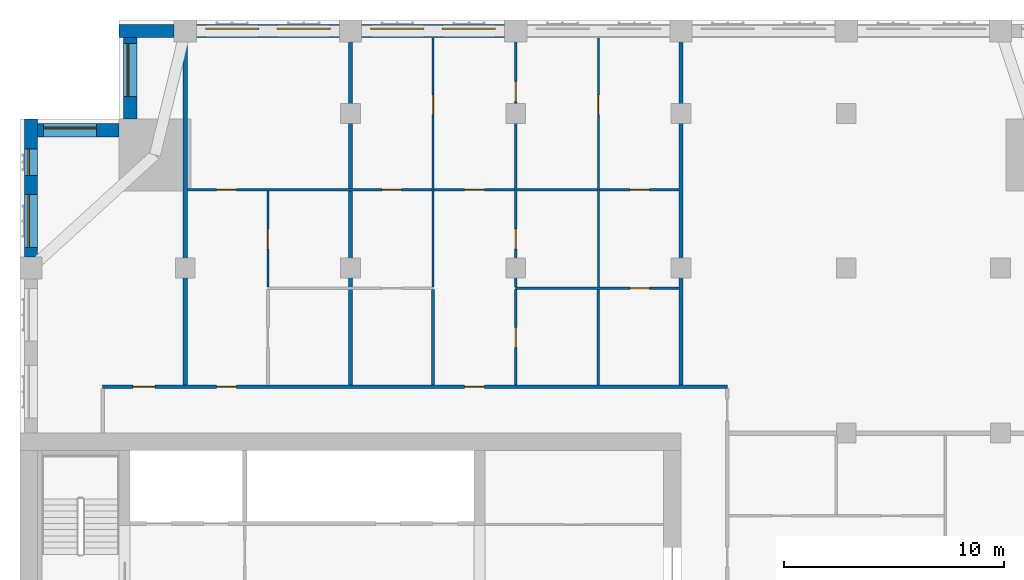
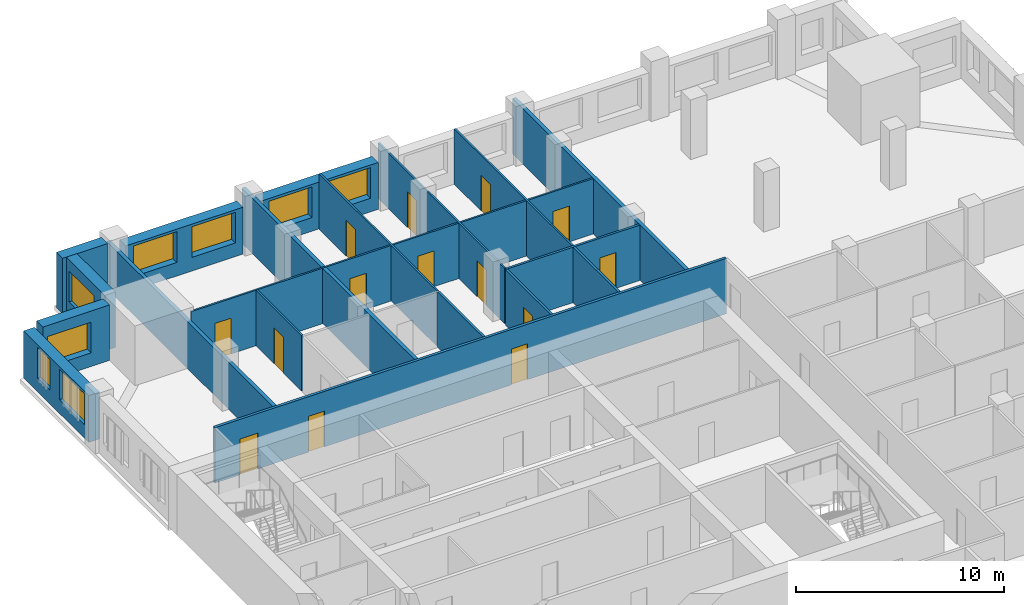
# One storey, part 10 of 14: 19 walls, 14 doors, 8 windows, 22 openings.
"""IFC4 building model written with IfcOpenShell, lengths in metres."""

import ifcopenshell
import ifcopenshell.guid

model = None  # the IFC model being written
_history = None  # IfcOwnerHistory: only IFC2X3 demands one
_inside = {}  # id of a spatial element -> (the spatial element, [elements in it])
_under = {}  # id of a project, library or spatial element -> (it, [spatial elements below it])
_declared = {}  # id of a project -> (the project, [libraries it declares])
_typed = {}  # id of a type object -> (the type object, [elements of that type])
_made_of = {}  # id of a material, layer set ... -> (it, [elements and type objects made of it])


def new_model(schema):
    """Start an empty IFC model of exactly this schema.

    Asked for "IFC4X3", IfcOpenShell would pick the latest addendum, in which some entities
    have other attributes; the version numbers below select the first issue.
    IFC2X3 requires an IfcOwnerHistory on every rooted entity: one is made here for all.
    """
    global model, _history
    if schema == "IFC4X3":
        model = ifcopenshell.file(schema_version=(4, 3, 0, 0))
    else:
        model = ifcopenshell.file(schema=schema)
    _inside.clear()
    _under.clear()
    _declared.clear()
    _typed.clear()
    _made_of.clear()
    _history = None
    if model.schema == "IFC2X3":
        org = make("IfcOrganization", Name="unknown")
        user = make(
            "IfcPersonAndOrganization",
            ThePerson=make("IfcPerson", FamilyName="unknown"),
            TheOrganization=org,
        )
        app = make(
            "IfcApplication",
            ApplicationDeveloper=org,
            Version="unknown",
            ApplicationFullName="unknown",
            ApplicationIdentifier="unknown",
        )
        _history = make(
            "IfcOwnerHistory",
            OwningUser=user,
            OwningApplication=app,
            ChangeAction="ADDED",
            CreationDate=0,
        )
    return model


def make(cls, **values):
    """One entity of the class cls with the attributes given. An attribute that is None is left unset."""
    return model.create_entity(
        cls, **{name: value for name, value in values.items() if value is not None}
    )


def rooted(cls, **values):
    """An entity with a GlobalId (a new one), such as an element, a storey or a relation."""
    return make(cls, GlobalId=ifcopenshell.guid.new(), OwnerHistory=_history, **values)


def si_unit(unit_type, name, prefix=None):
    """IfcSIUnit, for example si_unit("LENGTHUNIT", "METRE", prefix="MILLI")."""
    return make("IfcSIUnit", UnitType=unit_type, Prefix=prefix, Name=name)


def assignment(units):
    """IfcUnitAssignment: the units of a project."""
    return None if units is None else make("IfcUnitAssignment", Units=units)


def point(xyz):
    """IfcCartesianPoint."""
    return None if xyz is None else make("IfcCartesianPoint", Coordinates=xyz)


def direction(xyz):
    """IfcDirection."""
    return None if xyz is None else make("IfcDirection", DirectionRatios=xyz)


def frame(location, z_axis=None, x_axis=None):
    """IfcAxis2Placement3D, a coordinate frame: its origin and axes. An axis left out is left unset."""
    return make(
        "IfcAxis2Placement3D",
        Location=point(location),
        Axis=direction(z_axis),
        RefDirection=direction(x_axis),
    )


def frame_2d(location, x_axis=None):
    """IfcAxis2Placement2D, a coordinate frame in the plane: its origin and x axis."""
    return make(
        "IfcAxis2Placement2D", Location=point(location), RefDirection=direction(x_axis)
    )


def origin():
    """The frame at (0, 0, 0) with its axes left unset."""
    return frame((0.0, 0.0, 0.0))


def place(relative_to, where):
    """IfcLocalPlacement: puts the frame where relative to a parent placement (None: the world)."""
    return make(
        "IfcLocalPlacement", PlacementRelTo=relative_to, RelativePlacement=where
    )


def context(
    kind, dimensions, precision=None, world=None, true_north=None, identifier=None
):
    """IfcGeometricRepresentationContext, for example the 3D "Model" context."""
    return make(
        "IfcGeometricRepresentationContext",
        ContextIdentifier=identifier,
        ContextType=kind,
        CoordinateSpaceDimension=dimensions,
        Precision=precision,
        WorldCoordinateSystem=world,
        TrueNorth=true_north,
    )


def subcontext(parent, identifier, kind, view, scale=None):
    """IfcGeometricRepresentationSubContext, for example "Body" below "Model"."""
    return make(
        "IfcGeometricRepresentationSubContext",
        ContextIdentifier=identifier,
        ContextType=kind,
        ParentContext=parent,
        TargetScale=scale,
        TargetView=view,
    )


def project(units=None, contexts=None):
    """IfcProject with its units and contexts."""
    return rooted(
        "IfcProject",
        Name="project",
        RepresentationContexts=contexts,
        UnitsInContext=assignment(units),
    )


def spatial(cls, under=None, at=None, **own):
    """A site, building, storey or space (cls), placed at a placement, below another one or the project."""
    s = rooted(cls, ObjectPlacement=at, **own)
    if under is not None:
        _under.setdefault(under.id(), (under, []))[1].append(s)
    return s


def profile(cls, at=None, kind="AREA", **sizes):
    """A parametric profile (cls). Its sizes go by their IFC names, for example OverallWidth=200.0."""
    return make(cls, ProfileType=kind, Position=at, **sizes)


def rectangle(**sizes):
    """IfcRectangleProfileDef."""
    return profile("IfcRectangleProfileDef", **sizes)


def extrude(swept, where, along, depth):
    """IfcExtrudedAreaSolid: the profile swept, set in the frame where, extruded along a direction by depth."""
    return make(
        "IfcExtrudedAreaSolid",
        SweptArea=swept,
        Position=where,
        ExtrudedDirection=direction(along),
        Depth=depth,
    )


def shape(context_of_items, identifier, shape_type, items):
    """IfcShapeRepresentation: the items that make up one representation, for example the "Body"."""
    return make(
        "IfcShapeRepresentation",
        ContextOfItems=context_of_items,
        RepresentationIdentifier=identifier,
        RepresentationType=shape_type,
        Items=items,
    )


def material(Name=None, Category=None):
    """IfcMaterial."""
    return make("IfcMaterial", Name=Name, Category=Category)


def layer(
    of_material, thickness, ventilated=None, Name=None, Category=None, Priority=None
):
    """IfcMaterialLayer: one layer of a wall or slab, of a material (None: an air gap)."""
    return make(
        "IfcMaterialLayer",
        Material=of_material,
        LayerThickness=thickness,
        IsVentilated=ventilated,
        Name=Name,
        Category=Category,
        Priority=Priority,
    )


def layer_set(layers, Name=None):
    """IfcMaterialLayerSet."""
    return make("IfcMaterialLayerSet", MaterialLayers=layers, LayerSetName=Name)


def made_of(thing, what):
    """Note that an element or type object is made of a material, layer set ...; save() writes the relation."""
    if what is not None:
        _made_of.setdefault(what.id(), (what, []))[1].append(thing)
    return thing


def type_object(cls, material=None, **own):
    """A type object (cls), such as IfcWallType, which elements share."""
    return made_of(rooted(cls, **own), material)


def element(
    cls,
    number,
    at=None,
    inside=None,
    cuts=None,
    type_object=None,
    material=None,
    context=None,
    identifier="Body",
    shape_type=None,
    held_by="IfcProductDefinitionShape",
    body=None,
    shapes=None,
    **own,
):
    """One element of the class cls, such as IfcWall. Its Tag is "e" and its number.

    at: its placement. inside: the storey or other place that contains it. cuts: it is an
    opening in that element (IfcRelVoidsElement). A single representation is given by context,
    identifier, shape_type and body (its items); several are given by shapes. held_by: the class
    of the entity that holds the representations. save() writes the other relations.
    """
    e = rooted(cls, Tag="e%d" % number, ObjectPlacement=at, **own)
    if body is not None:
        shapes = [shape(context, identifier, shape_type, body)]
    if shapes is not None:
        e.Representation = make(held_by, Representations=shapes)
    if inside is not None:
        _inside.setdefault(inside.id(), (inside, []))[1].append(e)
    if cuts is not None:
        rooted(
            "IfcRelVoidsElement", RelatingBuildingElement=cuts, RelatedOpeningElement=e
        )
    if type_object is not None:
        _typed.setdefault(type_object.id(), (type_object, []))[1].append(e)
    return made_of(e, material)


def fill(opening, filler):
    """IfcRelFillsElement: the door or window that sits in an opening."""
    return rooted(
        "IfcRelFillsElement",
        RelatingOpeningElement=opening,
        RelatedBuildingElement=filler,
    )


def aggregate(whole, parts):
    """IfcRelAggregates: a whole, such as a stair, and the parts it consists of."""
    return rooted("IfcRelAggregates", RelatingObject=whole, RelatedObjects=parts)


def save(model, path):
    """Write the relations noted so far, then the file.

    IfcRelAggregates (storeys below a building ...), IfcRelContainedInSpatialStructure (elements
    in a storey), IfcRelDefinesByType, IfcRelAssociatesMaterial and IfcRelDeclares: one each for
    every whole, place, type object, material and project.
    """
    for whole, parts in _under.values():
        aggregate(whole, parts)
    for where, things in _inside.values():
        rooted(
            "IfcRelContainedInSpatialStructure",
            RelatedElements=things,
            RelatingStructure=where,
        )
    for kind, things in _typed.values():
        rooted("IfcRelDefinesByType", RelatedObjects=things, RelatingType=kind)
    for what, things in _made_of.values():
        rooted("IfcRelAssociatesMaterial", RelatedObjects=things, RelatingMaterial=what)
    for by, libraries in _declared.values():
        rooted("IfcRelDeclares", RelatingContext=by, RelatedDefinitions=libraries)
    model.write(path)


model = new_model("IFC4")

# Units and contexts
model_context = context("Model", 3, precision=1e-05, world=origin(), true_north=direction((0.0, 1.0)))
body_context = subcontext(model_context, "Body", "Model", "MODEL_VIEW")
ifc_project = project(units=[si_unit("LENGTHUNIT", "METRE"), si_unit("AREAUNIT", "SQUARE_METRE"), si_unit("VOLUMEUNIT", "CUBIC_METRE"), si_unit("PLANEANGLEUNIT", "RADIAN"), si_unit("MASSUNIT", "GRAM", prefix="KILO")], contexts=[model_context])

# Site, building, storey
site_placement = place(None, origin())
site = spatial("IfcSite", under=ifc_project, at=site_placement, CompositionType="ELEMENT")
building_placement = place(site_placement, origin())
building = spatial("IfcBuilding", under=site, at=building_placement, Name="Tamorin Gate", CompositionType="ELEMENT")
storey_placement = place(building_placement, frame((0.0, 0.0, 189.699951171875)))
storey = spatial("IfcBuildingStorey", under=building, at=storey_placement, Name="L46", CompositionType="ELEMENT", Elevation=189.699951171875)

# Wall, openings, windows
ifc_material_1 = material(Name="Precast concrete C40/50", Category="concrete")
ifc_layer_1 = layer(ifc_material_1, 0.60009765625)
ifc_layer_set_1 = layer_set([ifc_layer_1], Name="Precast concrete C40/50")
wall_type_1 = type_object("IfcWallType", Name="Board-marked concrete facade panel 600", PredefinedType="SOLIDWALL", material=ifc_layer_set_1)
wall_1_placement = place(storey_placement, frame((52.0, 100.75, 0.0), z_axis=(0.0, 0.0, 1.0), x_axis=(-1.0, 0.0, 0.0)))
wall_1 = element("IfcWall", 1, at=wall_1_placement, inside=storey, type_object=wall_type_1, Name="Facade panel", PredefinedType="SOLIDWALL", context=body_context, shape_type="SweptSolid", body=[
    extrude(rectangle(XDim=6.5, YDim=0.60009765625, at=frame_2d((3.25, 0.0))), origin(), (0.0, 0.0, 1.0), 2.75),
])
opening_1_placement = place(wall_1_placement, frame((3.675048828125, 0.0, 0.800048828125)))
opening_1 = element("IfcOpeningElement", 2, at=opening_1_placement, cuts=wall_1, Name="Opening WN1", PredefinedType="OPENING", context=body_context, shape_type="SweptSolid", body=[
    extrude(rectangle(XDim=2.39990234375, YDim=1.800048828125, at=frame_2d((1.199951171875, 0.89990234375))), frame((0.0, 0.31005859375, 0.0), z_axis=(0.0, -1.0, 0.0), x_axis=(1.0, 0.0, 0.0)), (0.0, 0.0, 1.0), 0.6201171875),
])
opening_2_placement = place(wall_1_placement, frame((0.425048828125, 0.0, 0.800048828125)))
opening_2 = element("IfcOpeningElement", 3, at=opening_2_placement, cuts=wall_1, Name="Opening WN1", PredefinedType="OPENING", context=body_context, shape_type="SweptSolid", body=[
    extrude(rectangle(XDim=2.39990234375, YDim=1.800048828125, at=frame_2d((1.199951171875, 0.89990234375))), frame((0.0, 0.31005859375, 0.0), z_axis=(0.0, -1.0, 0.0), x_axis=(1.0, 0.0, 0.0)), (0.0, 0.0, 1.0), 0.6201171875),
])
ifc_material_2 = material(Name="Clear glass in aluminium frame", Category="aluminium")
window_type_1 = type_object("IfcWindowType", Name="Deep-set window 2400x1800", PartitioningType="SINGLE_PANEL", PredefinedType="WINDOW", material=ifc_material_2)
window_1_placement = place(opening_1_placement, origin())
window_1 = element("IfcWindow", 4, at=window_1_placement, inside=storey, type_object=window_type_1, Name="Deep-set window", OverallHeight=1.800048828125, OverallWidth=2.39990234375, PartitioningType="SINGLE_PANEL", PredefinedType="WINDOW", context=body_context, shape_type="SweptSolid", body=[
    extrude(rectangle(XDim=2.39990234375, YDim=1.800048828125, at=frame_2d((1.199951171875, 0.89990234375))), frame((0.0, -0.070068359375, 0.0), z_axis=(0.0, -1.0, 0.0), x_axis=(1.0, 0.0, 0.0)), (0.0, 0.0, 1.0), 0.06005859375),
])
fill(opening_1, window_1)
window_2_placement = place(opening_2_placement, origin())
window_2 = element("IfcWindow", 5, at=window_2_placement, inside=storey, type_object=window_type_1, Name="Deep-set window", OverallHeight=1.800048828125, OverallWidth=2.39990234375, PartitioningType="SINGLE_PANEL", PredefinedType="WINDOW", context=body_context, shape_type="SweptSolid", body=[
    extrude(rectangle(XDim=2.39990234375, YDim=1.800048828125, at=frame_2d((1.199951171875, 0.89990234375))), frame((0.0, -0.070068359375, 0.0), z_axis=(0.0, -1.0, 0.0), x_axis=(1.0, 0.0, 0.0)), (0.0, 0.0, 1.0), 0.06005859375),
])
fill(opening_2, window_2)

wall_2_placement = place(storey_placement, frame((44.5, 100.75, 0.0), z_axis=(0.0, 0.0, 1.0), x_axis=(-1.0, 0.0, 0.0)))
wall_2 = element("IfcWall", 6, at=wall_2_placement, inside=storey, type_object=wall_type_1, Name="Facade panel", PredefinedType="SOLIDWALL", context=body_context, shape_type="SweptSolid", body=[
    extrude(rectangle(XDim=6.5, YDim=0.60009765625, at=frame_2d((3.25, 0.0))), origin(), (0.0, 0.0, 1.0), 2.75),
])
opening_3_placement = place(wall_2_placement, frame((3.675048828125, 0.0, 0.800048828125)))
opening_3 = element("IfcOpeningElement", 7, at=opening_3_placement, cuts=wall_2, Name="Opening WN1", PredefinedType="OPENING", context=body_context, shape_type="SweptSolid", body=[
    extrude(rectangle(XDim=2.39990234375, YDim=1.800048828125, at=frame_2d((1.199951171875, 0.89990234375))), frame((0.0, 0.31005859375, 0.0), z_axis=(0.0, -1.0, 0.0), x_axis=(1.0, 0.0, 0.0)), (0.0, 0.0, 1.0), 0.6201171875),
])
opening_4_placement = place(wall_2_placement, frame((0.425048828125, 0.0, 0.800048828125)))
opening_4 = element("IfcOpeningElement", 8, at=opening_4_placement, cuts=wall_2, Name="Opening WN1", PredefinedType="OPENING", context=body_context, shape_type="SweptSolid", body=[
    extrude(rectangle(XDim=2.39990234375, YDim=1.800048828125, at=frame_2d((1.199951171875, 0.89990234375))), frame((0.0, 0.31005859375, 0.0), z_axis=(0.0, -1.0, 0.0), x_axis=(1.0, 0.0, 0.0)), (0.0, 0.0, 1.0), 0.6201171875),
])
window_3_placement = place(opening_3_placement, origin())
window_3 = element("IfcWindow", 9, at=window_3_placement, inside=storey, type_object=window_type_1, Name="Deep-set window", OverallHeight=1.800048828125, OverallWidth=2.39990234375, PartitioningType="SINGLE_PANEL", PredefinedType="WINDOW", context=body_context, shape_type="SweptSolid", body=[
    extrude(rectangle(XDim=2.39990234375, YDim=1.800048828125, at=frame_2d((1.199951171875, 0.89990234375))), frame((0.0, -0.070068359375, 0.0), z_axis=(0.0, -1.0, 0.0), x_axis=(1.0, 0.0, 0.0)), (0.0, 0.0, 1.0), 0.06005859375),
])
fill(opening_3, window_3)
window_4_placement = place(opening_4_placement, origin())
window_4 = element("IfcWindow", 10, at=window_4_placement, inside=storey, type_object=window_type_1, Name="Deep-set window", OverallHeight=1.800048828125, OverallWidth=2.39990234375, PartitioningType="SINGLE_PANEL", PredefinedType="WINDOW", context=body_context, shape_type="SweptSolid", body=[
    extrude(rectangle(XDim=2.39990234375, YDim=1.800048828125, at=frame_2d((1.199951171875, 0.89990234375))), frame((0.0, -0.070068359375, 0.0), z_axis=(0.0, -1.0, 0.0), x_axis=(1.0, 0.0, 0.0)), (0.0, 0.0, 1.0), 0.06005859375),
])
fill(opening_4, window_4)

# Wall
wall_3_placement = place(storey_placement, frame((37.0, 100.75, 0.0), z_axis=(0.0, 0.0, 1.0), x_axis=(-1.0, 0.0, 0.0)))
element("IfcWall", 11, at=wall_3_placement, inside=storey, type_object=wall_type_1, Name="Facade panel", PredefinedType="SOLIDWALL", context=body_context, shape_type="SweptSolid", body=[
    extrude(rectangle(XDim=2.5, YDim=0.60009765625, at=frame_2d((1.25, 0.0))), origin(), (0.0, 0.0, 1.0), 3.25),
])

# Wall, opening, window
wall_4_placement = place(storey_placement, frame((35.0, 100.449951171875, 0.0), z_axis=(0.0, 0.0, 1.0), x_axis=(0.0, -1.0, 0.0)))
wall_4 = element("IfcWall", 12, at=wall_4_placement, inside=storey, type_object=wall_type_1, Name="Facade panel", PredefinedType="SOLIDWALL", context=body_context, shape_type="SweptSolid", body=[
    extrude(rectangle(XDim=3.699951171875, YDim=0.60009765625, at=frame_2d((1.85009765625, 0.0))), origin(), (0.0, 0.0, 1.0), 3.25),
])
opening_5_placement = place(wall_4_placement, frame((0.27490234375, 0.0, 0.800048828125)))
opening_5 = element("IfcOpeningElement", 13, at=opening_5_placement, cuts=wall_4, Name="Opening WN1", PredefinedType="OPENING", context=body_context, shape_type="SweptSolid", body=[
    extrude(rectangle(XDim=2.39990234375, YDim=1.800048828125, at=frame_2d((1.199951171875, 0.89990234375))), frame((0.0, 0.31005859375, 0.0), z_axis=(0.0, -1.0, 0.0), x_axis=(1.0, 0.0, 0.0)), (0.0, 0.0, 1.0), 0.6201171875),
])
window_5_placement = place(opening_5_placement, origin())
window_5 = element("IfcWindow", 14, at=window_5_placement, inside=storey, type_object=window_type_1, Name="Deep-set window", OverallHeight=1.800048828125, OverallWidth=2.39990234375, PartitioningType="SINGLE_PANEL", PredefinedType="WINDOW", context=body_context, shape_type="SweptSolid", body=[
    extrude(rectangle(XDim=2.39990234375, YDim=1.800048828125, at=frame_2d((1.199951171875, 0.89990234375))), frame((0.0, -0.070068359375, 0.0), z_axis=(0.0, -1.0, 0.0), x_axis=(1.0, 0.0, 0.0)), (0.0, 0.0, 1.0), 0.06005859375),
])
fill(opening_5, window_5)

wall_5_placement = place(storey_placement, frame((34.5, 96.25, 0.0), z_axis=(0.0, 0.0, 1.0), x_axis=(-1.0, 0.0, 0.0)))
wall_5 = element("IfcWall", 15, at=wall_5_placement, inside=storey, type_object=wall_type_1, Name="Facade panel", PredefinedType="SOLIDWALL", context=body_context, shape_type="SweptSolid", body=[
    extrude(rectangle(XDim=3.699951171875, YDim=0.60009765625, at=frame_2d((1.85009765625, 0.0))), origin(), (0.0, 0.0, 1.0), 3.25),
])
opening_6_placement = place(wall_5_placement, frame((1.02490234375, 0.0, 0.800048828125)))
opening_6 = element("IfcOpeningElement", 16, at=opening_6_placement, cuts=wall_5, Name="Opening WN1", PredefinedType="OPENING", context=body_context, shape_type="SweptSolid", body=[
    extrude(rectangle(XDim=2.39990234375, YDim=1.800048828125, at=frame_2d((1.199951171875, 0.89990234375))), frame((0.0, 0.31005859375, 0.0), z_axis=(0.0, -1.0, 0.0), x_axis=(1.0, 0.0, 0.0)), (0.0, 0.0, 1.0), 0.6201171875),
])
window_6_placement = place(opening_6_placement, origin())
window_6 = element("IfcWindow", 17, at=window_6_placement, inside=storey, type_object=window_type_1, Name="Deep-set window", OverallHeight=1.800048828125, OverallWidth=2.39990234375, PartitioningType="SINGLE_PANEL", PredefinedType="WINDOW", context=body_context, shape_type="SweptSolid", body=[
    extrude(rectangle(XDim=2.39990234375, YDim=1.800048828125, at=frame_2d((1.199951171875, 0.89990234375))), frame((0.0, -0.070068359375, 0.0), z_axis=(0.0, -1.0, 0.0), x_axis=(1.0, 0.0, 0.0)), (0.0, 0.0, 1.0), 0.06005859375),
])
fill(opening_6, window_6)

# Wall, openings, windows
wall_6_placement = place(storey_placement, frame((30.5, 96.75, 0.0), z_axis=(0.0, 0.0, 1.0), x_axis=(0.0, -1.0, 0.0)))
wall_6 = element("IfcWall", 18, at=wall_6_placement, inside=storey, type_object=wall_type_1, Name="Facade panel", PredefinedType="SOLIDWALL", context=body_context, shape_type="SweptSolid", body=[
    extrude(rectangle(XDim=6.25, YDim=0.60009765625, at=frame_2d((3.125, 0.0))), origin(), (0.0, 0.0, 1.0), 2.75),
])
opening_7_placement = place(wall_6_placement, frame((3.425048828125, 0.0, 0.800048828125)))
opening_7 = element("IfcOpeningElement", 19, at=opening_7_placement, cuts=wall_6, Name="Opening WN1", PredefinedType="OPENING", context=body_context, shape_type="SweptSolid", body=[
    extrude(rectangle(XDim=2.39990234375, YDim=1.800048828125, at=frame_2d((1.199951171875, 0.89990234375))), frame((0.0, 0.31005859375, 0.0), z_axis=(0.0, -1.0, 0.0), x_axis=(1.0, 0.0, 0.0)), (0.0, 0.0, 1.0), 0.6201171875),
])
opening_8_placement = place(wall_6_placement, frame((1.35009765625, 0.0, 0.800048828125)))
opening_8 = element("IfcOpeningElement", 20, at=opening_8_placement, cuts=wall_6, Name="Opening WN3", PredefinedType="OPENING", context=body_context, shape_type="SweptSolid", body=[
    extrude(rectangle(XDim=1.199951171875, YDim=1.800048828125, at=frame_2d((0.60009765625, 0.89990234375))), frame((0.0, 0.31005859375, 0.0), z_axis=(0.0, -1.0, 0.0), x_axis=(1.0, 0.0, 0.0)), (0.0, 0.0, 1.0), 0.6201171875),
])
window_type_2 = type_object("IfcWindowType", Name="Deep-set window 1200x1800", PartitioningType="SINGLE_PANEL", PredefinedType="WINDOW", material=ifc_material_2)
window_7_placement = place(opening_8_placement, origin())
window_7 = element("IfcWindow", 21, at=window_7_placement, inside=storey, type_object=window_type_2, Name="Deep-set window", OverallHeight=1.800048828125, OverallWidth=1.199951171875, PartitioningType="SINGLE_PANEL", PredefinedType="WINDOW", context=body_context, shape_type="SweptSolid", body=[
    extrude(rectangle(XDim=1.199951171875, YDim=1.800048828125, at=frame_2d((0.60009765625, 0.89990234375))), frame((0.0, -0.070068359375, 0.0), z_axis=(0.0, -1.0, 0.0), x_axis=(1.0, 0.0, 0.0)), (0.0, 0.0, 1.0), 0.06005859375),
])
fill(opening_8, window_7)
window_8_placement = place(opening_7_placement, origin())
window_8 = element("IfcWindow", 22, at=window_8_placement, inside=storey, type_object=window_type_1, Name="Deep-set window", OverallHeight=1.800048828125, OverallWidth=2.39990234375, PartitioningType="SINGLE_PANEL", PredefinedType="WINDOW", context=body_context, shape_type="SweptSolid", body=[
    extrude(rectangle(XDim=2.39990234375, YDim=1.800048828125, at=frame_2d((1.199951171875, 0.89990234375))), frame((0.0, -0.070068359375, 0.0), z_axis=(0.0, -1.0, 0.0), x_axis=(1.0, 0.0, 0.0)), (0.0, 0.0, 1.0), 0.06005859375),
])
fill(opening_7, window_8)

# Wall, openings, doors
ifc_material_3 = material(Name="Gypsum board partition")
ifc_layer_2 = layer(ifc_material_3, 0.14990234375)
ifc_layer_set_2 = layer_set([ifc_layer_2], Name="Corridor wall 150")
wall_type_2 = type_object("IfcWallType", Name="Corridor wall 150", PredefinedType="PARTITIONING", material=ifc_layer_set_2)
wall_7_placement = place(storey_placement, frame((33.75, 84.60009765625, 0.0), z_axis=(0.0, 0.0, 1.0), x_axis=(1.0, 0.0, 0.0)))
wall_7 = element("IfcWall", 23, at=wall_7_placement, inside=storey, type_object=wall_type_2, Name="Corridor wall 150", PredefinedType="PARTITIONING", context=body_context, shape_type="SweptSolid", body=[
    extrude(rectangle(XDim=28.35009765625, YDim=0.14990234375, at=frame_2d((14.175048828125, 0.0))), origin(), (0.0, 0.0, 1.0), 3.25),
])
opening_9_placement = place(wall_7_placement, frame((1.375, 0.0, 0.0)))
opening_9 = element("IfcOpeningElement", 24, at=opening_9_placement, cuts=wall_7, Name="Opening DR4014", PredefinedType="OPENING", context=body_context, shape_type="SweptSolid", body=[
    extrude(rectangle(XDim=1.0, YDim=2.10009765625, at=frame_2d((0.5, 1.050048828125))), frame((0.0, 0.0849609375, 0.0), z_axis=(0.0, -1.0, 0.0), x_axis=(1.0, 0.0, 0.0)), (0.0, 0.0, 1.0), 0.169921875),
])
opening_10_placement = place(wall_7_placement, frame((5.175048828125, 0.0, 0.0)))
opening_10 = element("IfcOpeningElement", 25, at=opening_10_placement, cuts=wall_7, Name="Opening DR4015", PredefinedType="OPENING", context=body_context, shape_type="SweptSolid", body=[
    extrude(rectangle(XDim=0.89990234375, YDim=2.10009765625, at=frame_2d((0.449951171875, 1.050048828125))), frame((0.0, 0.0849609375, 0.0), z_axis=(0.0, -1.0, 0.0), x_axis=(1.0, 0.0, 0.0)), (0.0, 0.0, 1.0), 0.169921875),
])
opening_11_placement = place(wall_7_placement, frame((16.425048828125, 0.0, 0.0)))
opening_11 = element("IfcOpeningElement", 26, at=opening_11_placement, cuts=wall_7, Name="Opening DR4021", PredefinedType="OPENING", context=body_context, shape_type="SweptSolid", body=[
    extrude(rectangle(XDim=0.89990234375, YDim=2.10009765625, at=frame_2d((0.449951171875, 1.050048828125))), frame((0.0, 0.0849609375, 0.0), z_axis=(0.0, -1.0, 0.0), x_axis=(1.0, 0.0, 0.0)), (0.0, 0.0, 1.0), 0.169921875),
])
ifc_material_4 = material(Name="Timber door leaf", Category="wood")
door_type_1 = type_object("IfcDoorType", Name="Door 1000 x 2100 FD30S", OperationType="NOTDEFINED", PredefinedType="DOOR", material=ifc_material_4)
door_1_placement = place(opening_9_placement, origin())
door_1 = element("IfcDoor", 27, at=door_1_placement, inside=storey, type_object=door_type_1, Name="Door DR4014", OperationType="SINGLE_SWING_LEFT", OverallHeight=2.10009765625, OverallWidth=1.0, PredefinedType="DOOR", context=body_context, shape_type="SweptSolid", body=[
    extrude(rectangle(XDim=1.0, YDim=2.10009765625, at=frame_2d((0.5, 1.050048828125))), frame((0.0, 0.02490234375, 0.0), z_axis=(0.0, -1.0, 0.0), x_axis=(1.0, 0.0, 0.0)), (0.0, 0.0, 1.0), 0.050048828125),
])
fill(opening_9, door_1)
door_type_2 = type_object("IfcDoorType", Name="Door 900 x 2100 FD30S", OperationType="NOTDEFINED", PredefinedType="DOOR", material=ifc_material_4)
door_2_placement = place(opening_10_placement, origin())
door_2 = element("IfcDoor", 28, at=door_2_placement, inside=storey, type_object=door_type_2, Name="Door DR4015", OperationType="SINGLE_SWING_LEFT", OverallHeight=2.10009765625, OverallWidth=0.89990234375, PredefinedType="DOOR", context=body_context, shape_type="SweptSolid", body=[
    extrude(rectangle(XDim=0.89990234375, YDim=2.10009765625, at=frame_2d((0.449951171875, 1.050048828125))), frame((0.0, 0.02490234375, 0.0), z_axis=(0.0, -1.0, 0.0), x_axis=(1.0, 0.0, 0.0)), (0.0, 0.0, 1.0), 0.050048828125),
])
fill(opening_10, door_2)
door_3_placement = place(opening_11_placement, origin())
door_3 = element("IfcDoor", 29, at=door_3_placement, inside=storey, type_object=door_type_2, Name="Door DR4021", OperationType="SINGLE_SWING_LEFT", OverallHeight=2.10009765625, OverallWidth=0.89990234375, PredefinedType="DOOR", context=body_context, shape_type="SweptSolid", body=[
    extrude(rectangle(XDim=0.89990234375, YDim=2.10009765625, at=frame_2d((0.449951171875, 1.050048828125))), frame((0.0, 0.02490234375, 0.0), z_axis=(0.0, -1.0, 0.0), x_axis=(1.0, 0.0, 0.0)), (0.0, 0.0, 1.0), 0.050048828125),
])
fill(opening_11, door_3)

# Walls
ifc_layer_3 = layer(ifc_material_3, 0.199951171875)
ifc_layer_set_3 = layer_set([ifc_layer_3], Name="Demising wall 200")
wall_type_3 = type_object("IfcWallType", Name="Demising wall 200", PredefinedType="PARTITIONING", material=ifc_layer_set_3)
wall_8_placement = place(storey_placement, frame((37.5, 84.675048828125, 0.0), z_axis=(0.0, 0.0, 1.0), x_axis=(0.0, 1.0, 0.0)))
element("IfcWall", 30, at=wall_8_placement, inside=storey, type_object=wall_type_3, Name="Demising wall 200", PredefinedType="PARTITIONING", context=body_context, shape_type="SweptSolid", body=[
    extrude(rectangle(XDim=16.574951171875, YDim=0.199951171875, at=frame_2d((8.28759765625, 0.0))), origin(), (0.0, 0.0, 1.0), 2.75),
])
for number, where, z_axis, x_axis, name in (
    (31, (45.0, 84.675048828125, 0.0), (0.0, 0.0, 1.0), (0.0, 1.0, 0.0), "Demising wall 200"),
    (32, (60.0, 84.675048828125, 0.0), (0.0, 0.0, 1.0), (0.0, 1.0, 0.0), "Demising wall 200"),
):
    element("IfcWall", number, at=place(storey_placement, frame(where, z_axis=z_axis, x_axis=x_axis)), inside=storey, type_object=wall_type_3, Name=name, PredefinedType="PARTITIONING", context=body_context, shape_type="SweptSolid", body=[
        extrude(rectangle(XDim=16.574951171875, YDim=0.199951171875, at=frame_2d((8.28759765625, 0.0))), origin(), (0.0, 0.0, 1.0), 3.25),
    ])

# Wall, openings, doors
ifc_layer_4 = layer(ifc_material_3, 0.10009765625)
ifc_layer_set_4 = layer_set([ifc_layer_4], Name="Room partition 100")
wall_type_4 = type_object("IfcWallType", Name="Room partition 100", PredefinedType="PARTITIONING", material=ifc_layer_set_4)
wall_9_placement = place(storey_placement, frame((37.60009765625, 93.550048828125, 0.0), z_axis=(0.0, 0.0, 1.0), x_axis=(1.0, 0.0, 0.0)))
wall_9 = element("IfcWall", 33, at=wall_9_placement, inside=storey, type_object=wall_type_4, Name="Room partition 100", PredefinedType="PARTITIONING", context=body_context, shape_type="SweptSolid", body=[
    extrude(rectangle(XDim=22.2998046875, YDim=0.10009765625, at=frame_2d((11.14990234375, 0.0))), origin(), (0.0, 0.0, 1.0), 3.25),
])
opening_12_placement = place(wall_9_placement, frame((1.324951171875, 0.0, 0.0)))
opening_12 = element("IfcOpeningElement", 34, at=opening_12_placement, cuts=wall_9, Name="Opening DR4016", PredefinedType="OPENING", context=body_context, shape_type="SweptSolid", body=[
    extrude(rectangle(XDim=0.89990234375, YDim=2.10009765625, at=frame_2d((0.449951171875, 1.050048828125))), frame((0.0, 0.06005859375, 0.0), z_axis=(0.0, -1.0, 0.0), x_axis=(1.0, 0.0, 0.0)), (0.0, 0.0, 1.0), 0.1201171875),
])
opening_13_placement = place(wall_9_placement, frame((8.824951171875, 0.0, 0.0)))
opening_13 = element("IfcOpeningElement", 35, at=opening_13_placement, cuts=wall_9, Name="Opening DR4019", PredefinedType="OPENING", context=body_context, shape_type="SweptSolid", body=[
    extrude(rectangle(XDim=0.89990234375, YDim=2.10009765625, at=frame_2d((0.449951171875, 1.050048828125))), frame((0.0, 0.06005859375, 0.0), z_axis=(0.0, -1.0, 0.0), x_axis=(1.0, 0.0, 0.0)), (0.0, 0.0, 1.0), 0.1201171875),
])
opening_14_placement = place(wall_9_placement, frame((12.574951171875, 0.0, 0.0)))
opening_14 = element("IfcOpeningElement", 36, at=opening_14_placement, cuts=wall_9, Name="Opening DR4022", PredefinedType="OPENING", context=body_context, shape_type="SweptSolid", body=[
    extrude(rectangle(XDim=0.89990234375, YDim=2.10009765625, at=frame_2d((0.449951171875, 1.050048828125))), frame((0.0, 0.06005859375, 0.0), z_axis=(0.0, -1.0, 0.0), x_axis=(1.0, 0.0, 0.0)), (0.0, 0.0, 1.0), 0.1201171875),
])
opening_15_placement = place(wall_9_placement, frame((20.074951171875, 0.0, 0.0)))
opening_15 = element("IfcOpeningElement", 37, at=opening_15_placement, cuts=wall_9, Name="Opening DR4025", PredefinedType="OPENING", context=body_context, shape_type="SweptSolid", body=[
    extrude(rectangle(XDim=0.89990234375, YDim=2.10009765625, at=frame_2d((0.449951171875, 1.050048828125))), frame((0.0, 0.06005859375, 0.0), z_axis=(0.0, -1.0, 0.0), x_axis=(1.0, 0.0, 0.0)), (0.0, 0.0, 1.0), 0.1201171875),
])
door_type_3 = type_object("IfcDoorType", Name="Door 900 x 2100", OperationType="NOTDEFINED", PredefinedType="DOOR", material=ifc_material_4)
door_4_placement = place(opening_12_placement, origin())
door_4 = element("IfcDoor", 38, at=door_4_placement, inside=storey, type_object=door_type_3, Name="Door DR4016", OperationType="SINGLE_SWING_RIGHT", OverallHeight=2.10009765625, OverallWidth=0.89990234375, PredefinedType="DOOR", context=body_context, shape_type="SweptSolid", body=[
    extrude(rectangle(XDim=0.89990234375, YDim=2.10009765625, at=frame_2d((0.449951171875, 1.050048828125))), frame((0.0, 0.02490234375, 0.0), z_axis=(0.0, -1.0, 0.0), x_axis=(1.0, 0.0, 0.0)), (0.0, 0.0, 1.0), 0.050048828125),
])
fill(opening_12, door_4)
door_5_placement = place(opening_13_placement, origin())
door_5 = element("IfcDoor", 39, at=door_5_placement, inside=storey, type_object=door_type_3, Name="Door DR4019", OperationType="SINGLE_SWING_RIGHT", OverallHeight=2.10009765625, OverallWidth=0.89990234375, PredefinedType="DOOR", context=body_context, shape_type="SweptSolid", body=[
    extrude(rectangle(XDim=0.89990234375, YDim=2.10009765625, at=frame_2d((0.449951171875, 1.050048828125))), frame((0.0, 0.02490234375, 0.0), z_axis=(0.0, -1.0, 0.0), x_axis=(1.0, 0.0, 0.0)), (0.0, 0.0, 1.0), 0.050048828125),
])
fill(opening_13, door_5)
door_6_placement = place(opening_14_placement, origin())
door_6 = element("IfcDoor", 40, at=door_6_placement, inside=storey, type_object=door_type_3, Name="Door DR4022", OperationType="SINGLE_SWING_RIGHT", OverallHeight=2.10009765625, OverallWidth=0.89990234375, PredefinedType="DOOR", context=body_context, shape_type="SweptSolid", body=[
    extrude(rectangle(XDim=0.89990234375, YDim=2.10009765625, at=frame_2d((0.449951171875, 1.050048828125))), frame((0.0, 0.02490234375, 0.0), z_axis=(0.0, -1.0, 0.0), x_axis=(1.0, 0.0, 0.0)), (0.0, 0.0, 1.0), 0.050048828125),
])
fill(opening_14, door_6)
door_7_placement = place(opening_15_placement, origin())
door_7 = element("IfcDoor", 41, at=door_7_placement, inside=storey, type_object=door_type_3, Name="Door DR4025", OperationType="SINGLE_SWING_RIGHT", OverallHeight=2.10009765625, OverallWidth=0.89990234375, PredefinedType="DOOR", context=body_context, shape_type="SweptSolid", body=[
    extrude(rectangle(XDim=0.89990234375, YDim=2.10009765625, at=frame_2d((0.449951171875, 1.050048828125))), frame((0.0, 0.02490234375, 0.0), z_axis=(0.0, -1.0, 0.0), x_axis=(1.0, 0.0, 0.0)), (0.0, 0.0, 1.0), 0.050048828125),
])
fill(opening_15, door_7)

# Wall, opening, door
wall_10_placement = place(storey_placement, frame((41.25, 89.137451171875, 0.0), z_axis=(0.0, 0.0, 1.0), x_axis=(0.0, 1.0, 0.0)))
wall_10 = element("IfcWall", 42, at=wall_10_placement, inside=storey, type_object=wall_type_4, Name="Room partition 100", PredefinedType="PARTITIONING", context=body_context, shape_type="SweptSolid", body=[
    extrude(rectangle(XDim=4.362548828125, YDim=0.10009765625, at=frame_2d((2.18115234375, 0.0))), origin(), (0.0, 0.0, 1.0), 3.25),
])
opening_16_placement = place(wall_10_placement, frame((1.72509765625, 0.0, 0.0)))
opening_16 = element("IfcOpeningElement", 43, at=opening_16_placement, cuts=wall_10, Name="Opening DR4017", PredefinedType="OPENING", context=body_context, shape_type="SweptSolid", body=[
    extrude(rectangle(XDim=0.89990234375, YDim=2.10009765625, at=frame_2d((0.449951171875, 1.050048828125))), frame((0.0, 0.06005859375, 0.0), z_axis=(0.0, -1.0, 0.0), x_axis=(1.0, 0.0, 0.0)), (0.0, 0.0, 1.0), 0.1201171875),
])
door_8_placement = place(opening_16_placement, origin())
door_8 = element("IfcDoor", 44, at=door_8_placement, inside=storey, type_object=door_type_3, Name="Door DR4017", OperationType="SINGLE_SWING_RIGHT", OverallHeight=2.10009765625, OverallWidth=0.89990234375, PredefinedType="DOOR", context=body_context, shape_type="SweptSolid", body=[
    extrude(rectangle(XDim=0.89990234375, YDim=2.10009765625, at=frame_2d((0.449951171875, 1.050048828125))), frame((0.0, 0.02490234375, 0.0), z_axis=(0.0, -1.0, 0.0), x_axis=(1.0, 0.0, 0.0)), (0.0, 0.0, 1.0), 0.050048828125),
])
fill(opening_16, door_8)

wall_11_placement = place(storey_placement, frame((48.75, 89.137451171875, 0.0), z_axis=(0.0, 0.0, 1.0), x_axis=(0.0, 1.0, 0.0)))
wall_11 = element("IfcWall", 45, at=wall_11_placement, inside=storey, type_object=wall_type_4, Name="Room partition 100", PredefinedType="PARTITIONING", context=body_context, shape_type="SweptSolid", body=[
    extrude(rectangle(XDim=11.302490234375, YDim=0.10009765625, at=frame_2d((5.6513671875, 0.0))), origin(), (0.0, 0.0, 1.0), 3.25),
])
opening_17_placement = place(wall_11_placement, frame((7.8125, 0.0, 0.0)))
opening_17 = element("IfcOpeningElement", 46, at=opening_17_placement, cuts=wall_11, Name="Opening DR4027", PredefinedType="OPENING", context=body_context, shape_type="SweptSolid", body=[
    extrude(rectangle(XDim=0.89990234375, YDim=2.10009765625, at=frame_2d((0.449951171875, 1.050048828125))), frame((0.0, 0.06005859375, 0.0), z_axis=(0.0, -1.0, 0.0), x_axis=(1.0, 0.0, 0.0)), (0.0, 0.0, 1.0), 0.1201171875),
])
door_9_placement = place(opening_17_placement, origin())
door_9 = element("IfcDoor", 47, at=door_9_placement, inside=storey, type_object=door_type_3, Name="Door DR4027", OperationType="SINGLE_SWING_LEFT", OverallHeight=2.10009765625, OverallWidth=0.89990234375, PredefinedType="DOOR", context=body_context, shape_type="SweptSolid", body=[
    extrude(rectangle(XDim=0.89990234375, YDim=2.10009765625, at=frame_2d((0.449951171875, 1.050048828125))), frame((0.0, 0.02490234375, 0.0), z_axis=(0.0, -1.0, 0.0), x_axis=(1.0, 0.0, 0.0)), (0.0, 0.0, 1.0), 0.050048828125),
])
fill(opening_17, door_9)

# Wall, openings, doors
wall_12_placement = place(storey_placement, frame((52.5, 89.137451171875, 0.0), z_axis=(0.0, 0.0, 1.0), x_axis=(0.0, 1.0, 0.0)))
wall_12 = element("IfcWall", 48, at=wall_12_placement, inside=storey, type_object=wall_type_4, Name="Room partition 100", PredefinedType="PARTITIONING", context=body_context, shape_type="SweptSolid", body=[
    extrude(rectangle(XDim=12.112548828125, YDim=0.10009765625, at=frame_2d((6.05615234375, 0.0))), origin(), (0.0, 0.0, 1.0), 3.25),
])
opening_18_placement = place(wall_12_placement, frame((1.72509765625, 0.0, 0.0)))
opening_18 = element("IfcOpeningElement", 49, at=opening_18_placement, cuts=wall_12, Name="Opening DR4023", PredefinedType="OPENING", context=body_context, shape_type="SweptSolid", body=[
    extrude(rectangle(XDim=0.89990234375, YDim=2.10009765625, at=frame_2d((0.449951171875, 1.050048828125))), frame((0.0, 0.06005859375, 0.0), z_axis=(0.0, -1.0, 0.0), x_axis=(1.0, 0.0, 0.0)), (0.0, 0.0, 1.0), 0.1201171875),
])
opening_19_placement = place(wall_12_placement, frame((8.41259765625, 0.0, 0.0)))
opening_19 = element("IfcOpeningElement", 50, at=opening_19_placement, cuts=wall_12, Name="Opening DR4028", PredefinedType="OPENING", context=body_context, shape_type="SweptSolid", body=[
    extrude(rectangle(XDim=0.89990234375, YDim=2.10009765625, at=frame_2d((0.449951171875, 1.050048828125))), frame((0.0, 0.06005859375, 0.0), z_axis=(0.0, -1.0, 0.0), x_axis=(1.0, 0.0, 0.0)), (0.0, 0.0, 1.0), 0.1201171875),
])
door_10_placement = place(opening_18_placement, origin())
door_10 = element("IfcDoor", 51, at=door_10_placement, inside=storey, type_object=door_type_3, Name="Door DR4023", OperationType="SINGLE_SWING_RIGHT", OverallHeight=2.10009765625, OverallWidth=0.89990234375, PredefinedType="DOOR", context=body_context, shape_type="SweptSolid", body=[
    extrude(rectangle(XDim=0.89990234375, YDim=2.10009765625, at=frame_2d((0.449951171875, 1.050048828125))), frame((0.0, 0.02490234375, 0.0), z_axis=(0.0, -1.0, 0.0), x_axis=(1.0, 0.0, 0.0)), (0.0, 0.0, 1.0), 0.050048828125),
])
fill(opening_18, door_10)
door_11_placement = place(opening_19_placement, origin())
door_11 = element("IfcDoor", 52, at=door_11_placement, inside=storey, type_object=door_type_3, Name="Door DR4028", OperationType="SINGLE_SWING_RIGHT", OverallHeight=2.10009765625, OverallWidth=0.89990234375, PredefinedType="DOOR", context=body_context, shape_type="SweptSolid", body=[
    extrude(rectangle(XDim=0.89990234375, YDim=2.10009765625, at=frame_2d((0.449951171875, 1.050048828125))), frame((0.0, 0.02490234375, 0.0), z_axis=(0.0, -1.0, 0.0), x_axis=(1.0, 0.0, 0.0)), (0.0, 0.0, 1.0), 0.050048828125),
])
fill(opening_19, door_11)

# Wall, opening, door
wall_13_placement = place(storey_placement, frame((56.25, 89.137451171875, 0.0), z_axis=(0.0, 0.0, 1.0), x_axis=(0.0, 1.0, 0.0)))
wall_13 = element("IfcWall", 53, at=wall_13_placement, inside=storey, type_object=wall_type_4, Name="Room partition 100", PredefinedType="PARTITIONING", context=body_context, shape_type="SweptSolid", body=[
    extrude(rectangle(XDim=11.302490234375, YDim=0.10009765625, at=frame_2d((5.6513671875, 0.0))), origin(), (0.0, 0.0, 1.0), 3.25),
])
opening_20_placement = place(wall_13_placement, frame((7.8125, 0.0, 0.0)))
opening_20 = element("IfcOpeningElement", 54, at=opening_20_placement, cuts=wall_13, Name="Opening DR4029", PredefinedType="OPENING", context=body_context, shape_type="SweptSolid", body=[
    extrude(rectangle(XDim=0.89990234375, YDim=2.10009765625, at=frame_2d((0.449951171875, 1.050048828125))), frame((0.0, 0.06005859375, 0.0), z_axis=(0.0, -1.0, 0.0), x_axis=(1.0, 0.0, 0.0)), (0.0, 0.0, 1.0), 0.1201171875),
])
door_12_placement = place(opening_20_placement, origin())
door_12 = element("IfcDoor", 55, at=door_12_placement, inside=storey, type_object=door_type_3, Name="Door DR4029", OperationType="SINGLE_SWING_LEFT", OverallHeight=2.10009765625, OverallWidth=0.89990234375, PredefinedType="DOOR", context=body_context, shape_type="SweptSolid", body=[
    extrude(rectangle(XDim=0.89990234375, YDim=2.10009765625, at=frame_2d((0.449951171875, 1.050048828125))), frame((0.0, 0.02490234375, 0.0), z_axis=(0.0, -1.0, 0.0), x_axis=(1.0, 0.0, 0.0)), (0.0, 0.0, 1.0), 0.050048828125),
])
fill(opening_20, door_12)

ifc_layer_5 = layer(ifc_material_3, 0.125)
ifc_layer_set_5 = layer_set([ifc_layer_5], Name="Wet wall 125")
wall_type_5 = type_object("IfcWallType", Name="Wet wall 125", PredefinedType="PARTITIONING", material=ifc_layer_set_5)
wall_14_placement = place(storey_placement, frame((52.5, 89.074951171875, 0.0), z_axis=(0.0, 0.0, 1.0), x_axis=(1.0, 0.0, 0.0)))
wall_14 = element("IfcWall", 56, at=wall_14_placement, inside=storey, type_object=wall_type_5, Name="Wet wall 125", PredefinedType="PARTITIONING", context=body_context, shape_type="SweptSolid", body=[
    extrude(rectangle(XDim=7.39990234375, YDim=0.125, at=frame_2d((3.699951171875, 0.0))), origin(), (0.0, 0.0, 1.0), 3.25),
])
opening_21_placement = place(wall_14_placement, frame((5.175048828125, 0.0, 0.0)))
opening_21 = element("IfcOpeningElement", 57, at=opening_21_placement, cuts=wall_14, Name="Opening DR4026", PredefinedType="OPENING", context=body_context, shape_type="SweptSolid", body=[
    extrude(rectangle(XDim=0.89990234375, YDim=2.10009765625, at=frame_2d((0.449951171875, 1.050048828125))), frame((0.0, 0.072509765625, 0.0), z_axis=(0.0, -1.0, 0.0), x_axis=(1.0, 0.0, 0.0)), (0.0, 0.0, 1.0), 0.14501953125),
])
door_13_placement = place(opening_21_placement, origin())
door_13 = element("IfcDoor", 58, at=door_13_placement, inside=storey, type_object=door_type_3, Name="Door DR4026", OperationType="SINGLE_SWING_RIGHT", OverallHeight=2.10009765625, OverallWidth=0.89990234375, PredefinedType="DOOR", context=body_context, shape_type="SweptSolid", body=[
    extrude(rectangle(XDim=0.89990234375, YDim=2.10009765625, at=frame_2d((0.449951171875, 1.050048828125))), frame((0.0, 0.02490234375, 0.0), z_axis=(0.0, -1.0, 0.0), x_axis=(1.0, 0.0, 0.0)), (0.0, 0.0, 1.0), 0.050048828125),
])
fill(opening_21, door_13)

# Wall
wall_15_placement = place(storey_placement, frame((48.75, 84.675048828125, 0.0), z_axis=(0.0, 0.0, 1.0), x_axis=(0.0, 1.0, 0.0)))
element("IfcWall", 59, at=wall_15_placement, inside=storey, type_object=wall_type_5, Name="Wet wall 125", PredefinedType="PARTITIONING", context=body_context, shape_type="SweptSolid", body=[
    extrude(rectangle(XDim=4.33740234375, YDim=0.125, at=frame_2d((2.168701171875, 0.0))), origin(), (0.0, 0.0, 1.0), 3.25),
])

# Wall, opening, door
wall_16_placement = place(storey_placement, frame((52.5, 84.675048828125, 0.0), z_axis=(0.0, 0.0, 1.0), x_axis=(0.0, 1.0, 0.0)))
wall_16 = element("IfcWall", 60, at=wall_16_placement, inside=storey, type_object=wall_type_5, Name="Wet wall 125", PredefinedType="PARTITIONING", context=body_context, shape_type="SweptSolid", body=[
    extrude(rectangle(XDim=4.33740234375, YDim=0.125, at=frame_2d((2.168701171875, 0.0))), origin(), (0.0, 0.0, 1.0), 3.25),
])
opening_22_placement = place(wall_16_placement, frame((1.71240234375, 0.0, 0.0)))
opening_22 = element("IfcOpeningElement", 61, at=opening_22_placement, cuts=wall_16, Name="Opening DR4024", PredefinedType="OPENING", context=body_context, shape_type="SweptSolid", body=[
    extrude(rectangle(XDim=0.89990234375, YDim=2.10009765625, at=frame_2d((0.449951171875, 1.050048828125))), frame((0.0, 0.072509765625, 0.0), z_axis=(0.0, -1.0, 0.0), x_axis=(1.0, 0.0, 0.0)), (0.0, 0.0, 1.0), 0.14501953125),
])
door_14_placement = place(opening_22_placement, origin())
door_14 = element("IfcDoor", 62, at=door_14_placement, inside=storey, type_object=door_type_3, Name="Door DR4024", OperationType="SINGLE_SWING_LEFT", OverallHeight=2.10009765625, OverallWidth=0.89990234375, PredefinedType="DOOR", context=body_context, shape_type="SweptSolid", body=[
    extrude(rectangle(XDim=0.89990234375, YDim=2.10009765625, at=frame_2d((0.449951171875, 1.050048828125))), frame((0.0, 0.02490234375, 0.0), z_axis=(0.0, -1.0, 0.0), x_axis=(1.0, 0.0, 0.0)), (0.0, 0.0, 1.0), 0.050048828125),
])
fill(opening_22, door_14)

# Wall
wall_17_placement = place(storey_placement, frame((56.25, 84.675048828125, 0.0), z_axis=(0.0, 0.0, 1.0), x_axis=(0.0, 1.0, 0.0)))
element("IfcWall", 63, at=wall_17_placement, inside=storey, type_object=wall_type_5, Name="Wet wall 125", PredefinedType="PARTITIONING", context=body_context, shape_type="SweptSolid", body=[
    extrude(rectangle(XDim=4.33740234375, YDim=0.125, at=frame_2d((2.168701171875, 0.0))), origin(), (0.0, 0.0, 1.0), 3.25),
])

save(model, "model.ifc")
